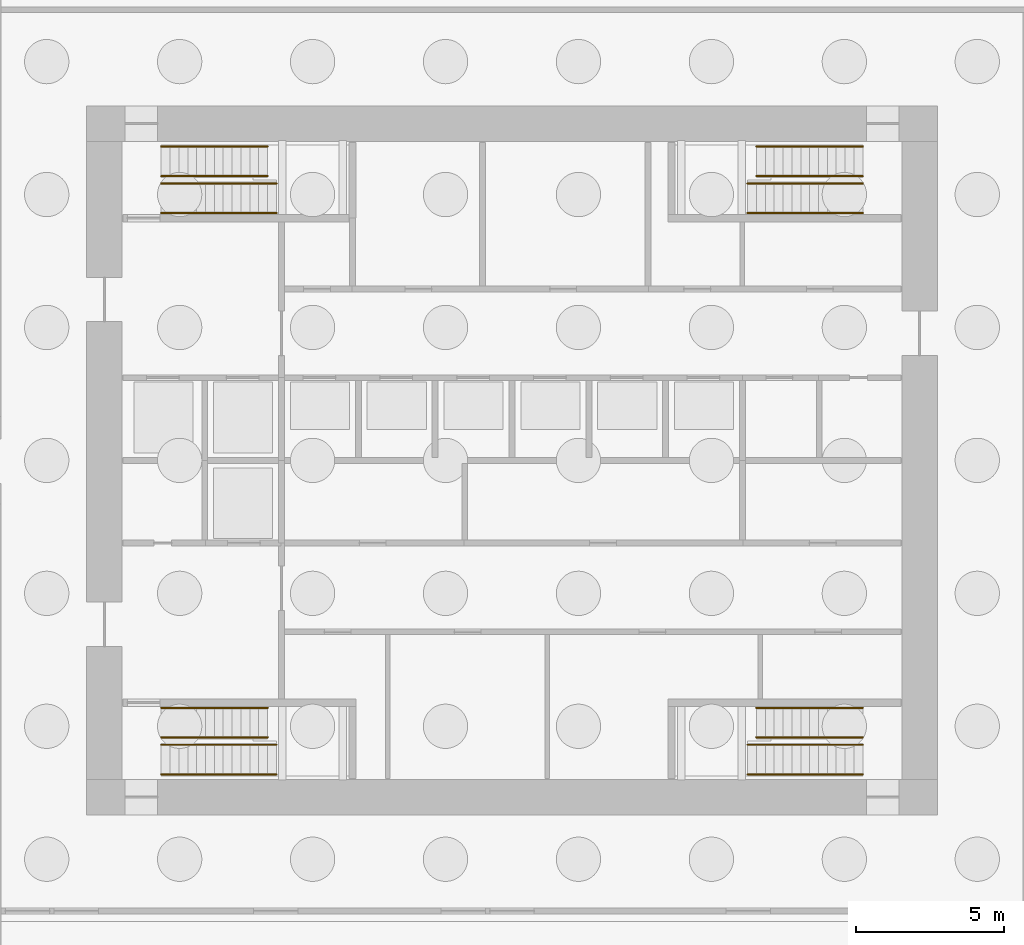
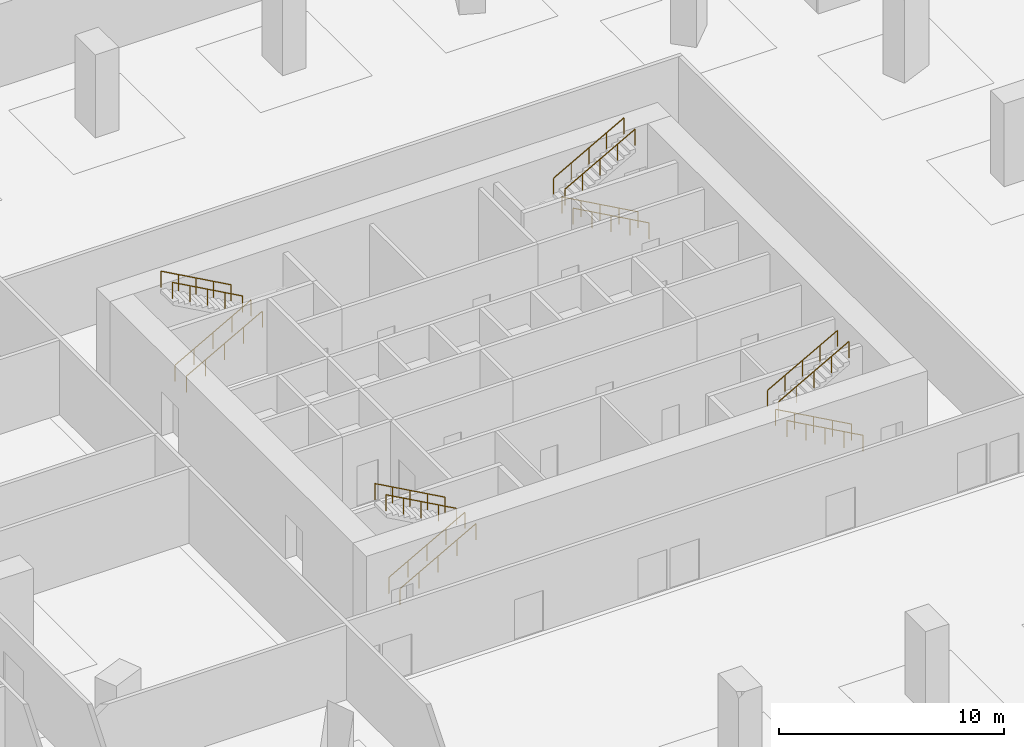
# One storey, part 13 of 14: 16 railings.
"""IFC4 building model written with IfcOpenShell, lengths in metres."""

from ifc_helpers import new_model, si_unit, direction, frame, origin, origin_2d, place, context, subcontext, project, spatial, circle, extrude, material, constituent, constituent_set, type_object, element, save


model = new_model("IFC4")

# Units and contexts
model_context = context("Model", 3, precision=1e-05, world=origin(), true_north=direction((0.0, 1.0)))
body_context = subcontext(model_context, "Body", "Model", "MODEL_VIEW")
ifc_project = project(units=[si_unit("LENGTHUNIT", "METRE"), si_unit("AREAUNIT", "SQUARE_METRE"), si_unit("VOLUMEUNIT", "CUBIC_METRE"), si_unit("PLANEANGLEUNIT", "RADIAN"), si_unit("MASSUNIT", "GRAM", prefix="KILO")], contexts=[model_context])

# Site, building, storey
site_placement = place(None, origin())
site = spatial("IfcSite", under=ifc_project, at=site_placement, CompositionType="ELEMENT")
building_placement = place(site_placement, origin())
building = spatial("IfcBuilding", under=site, at=building_placement, Name="Msitu Wima Residences", CompositionType="ELEMENT")
storey_placement = place(building_placement, frame((0.0, 0.0, -9.0)))
storey = spatial("IfcBuildingStorey", under=building, at=storey_placement, Name="B2", CompositionType="ELEMENT", Elevation=-9.0)

# Railings
ifc_material_1 = material(Name="Steel S355", Category="steel")
ifc_constituent_1 = constituent(ifc_material_1, Name="Steel S355")
ifc_material_2 = material(Name="Black powder coating")
ifc_constituent_2 = constituent(ifc_material_2, Name="Black powder coating")
ifc_constituent_set = constituent_set(constituents=[ifc_constituent_1, ifc_constituent_2], Name="Steel S355")
railing_type = type_object("IfcRailingType", Name="Stair handrail HR1", PredefinedType="HANDRAIL", material=ifc_constituent_set)
for number, where, name in (
    (1, (-11.875, 8.375, 0.166748046875), "Stair 1 handrail"),
    (2, (-11.875, 9.375, 0.166748046875), "Stair 1 handrail"),
):
    element("IfcRailing", number, at=place(storey_placement, frame(where)), inside=storey, type_object=railing_type, Name=name, PredefinedType="HANDRAIL", context=body_context, shape_type="SweptSolid", body=[
        extrude(circle(Radius=0.02392578125, at=origin_2d()), frame((0.0, 0.0, 0.8759765625), z_axis=(0.874167601283, 0.0, 0.485624345423), x_axis=(0.0, 1.0, 0.0)), (0.0, 0.0, 1.0), 4.461181640625),
        extrude(circle(Radius=0.02099609375, at=origin_2d()), origin(), (0.0, 0.0, 1.0), 0.851806640625),
        extrude(circle(Radius=0.02099609375, at=origin_2d()), frame((0.97509765625, 0.0, 0.54150390625)), (0.0, 0.0, 1.0), 0.851806640625),
        extrude(circle(Radius=0.02099609375, at=origin_2d()), frame((1.949951171875, 0.0, 1.083251953125)), (0.0, 0.0, 1.0), 0.851806640625),
        extrude(circle(Radius=0.02099609375, at=origin_2d()), frame((2.9248046875, 0.0, 1.625)), (0.0, 0.0, 1.0), 0.851806640625),
        extrude(circle(Radius=0.02099609375, at=origin_2d()), frame((3.89990234375, 0.0, 2.16650390625)), (0.0, 0.0, 1.0), 0.851806640625),
    ])
for number, where, name in (
    (3, (-8.27490234375, 9.625, 2.5), "Stair 1 handrail"),
    (4, (-8.27490234375, 10.625, 2.5), "Stair 1 handrail"),
):
    element("IfcRailing", number, at=place(storey_placement, frame(where)), inside=storey, type_object=railing_type, Name=name, PredefinedType="HANDRAIL", context=body_context, shape_type="SweptSolid", body=[
        extrude(circle(Radius=0.02392578125, at=origin_2d()), frame((0.0, 0.0, 0.8759765625), z_axis=(-0.874162868644, 0.0, 0.485632864501), x_axis=(0.0, -1.0, 0.0)), (0.0, 0.0, 1.0), 4.118408203125),
        extrude(circle(Radius=0.02099609375, at=origin_2d()), origin(), (0.0, 0.0, 1.0), 0.851806640625),
        extrude(circle(Radius=0.02099609375, at=origin_2d()), frame((-0.89990234375, 0.0, 0.5)), (0.0, 0.0, 1.0), 0.851806640625),
        extrude(circle(Radius=0.02099609375, at=origin_2d()), frame((-1.800048828125, 0.0, 1.0)), (0.0, 0.0, 1.0), 0.851806640625),
        extrude(circle(Radius=0.02099609375, at=origin_2d()), frame((-2.7001953125, 0.0, 1.5)), (0.0, 0.0, 1.0), 0.851806640625),
        extrude(circle(Radius=0.02099609375, at=origin_2d()), frame((-3.60009765625, 0.0, 2.0)), (0.0, 0.0, 1.0), 0.851806640625),
    ])
for number, where, name in (
    (5, (-11.875, -10.625, 0.166748046875), "Stair 2 handrail"),
    (6, (-11.875, -9.625, 0.166748046875), "Stair 2 handrail"),
):
    element("IfcRailing", number, at=place(storey_placement, frame(where)), inside=storey, type_object=railing_type, Name=name, PredefinedType="HANDRAIL", context=body_context, shape_type="SweptSolid", body=[
        extrude(circle(Radius=0.02392578125, at=origin_2d()), frame((0.0, 0.0, 0.8759765625), z_axis=(0.874167601283, 0.0, 0.485624345423), x_axis=(0.0, 1.0, 0.0)), (0.0, 0.0, 1.0), 4.461181640625),
        extrude(circle(Radius=0.02099609375, at=origin_2d()), origin(), (0.0, 0.0, 1.0), 0.851806640625),
        extrude(circle(Radius=0.02099609375, at=origin_2d()), frame((0.97509765625, 0.0, 0.54150390625)), (0.0, 0.0, 1.0), 0.851806640625),
        extrude(circle(Radius=0.02099609375, at=origin_2d()), frame((1.949951171875, 0.0, 1.083251953125)), (0.0, 0.0, 1.0), 0.851806640625),
        extrude(circle(Radius=0.02099609375, at=origin_2d()), frame((2.9248046875, 0.0, 1.625)), (0.0, 0.0, 1.0), 0.851806640625),
        extrude(circle(Radius=0.02099609375, at=origin_2d()), frame((3.89990234375, 0.0, 2.16650390625)), (0.0, 0.0, 1.0), 0.851806640625),
    ])
for number, where, name in (
    (7, (-8.27490234375, -9.375, 2.5), "Stair 2 handrail"),
    (8, (-8.27490234375, -8.375, 2.5), "Stair 2 handrail"),
):
    element("IfcRailing", number, at=place(storey_placement, frame(where)), inside=storey, type_object=railing_type, Name=name, PredefinedType="HANDRAIL", context=body_context, shape_type="SweptSolid", body=[
        extrude(circle(Radius=0.02392578125, at=origin_2d()), frame((0.0, 0.0, 0.8759765625), z_axis=(-0.874162868644, 0.0, 0.485632864501), x_axis=(0.0, -1.0, 0.0)), (0.0, 0.0, 1.0), 4.118408203125),
        extrude(circle(Radius=0.02099609375, at=origin_2d()), origin(), (0.0, 0.0, 1.0), 0.851806640625),
        extrude(circle(Radius=0.02099609375, at=origin_2d()), frame((-0.89990234375, 0.0, 0.5)), (0.0, 0.0, 1.0), 0.851806640625),
        extrude(circle(Radius=0.02099609375, at=origin_2d()), frame((-1.800048828125, 0.0, 1.0)), (0.0, 0.0, 1.0), 0.851806640625),
        extrude(circle(Radius=0.02099609375, at=origin_2d()), frame((-2.7001953125, 0.0, 1.5)), (0.0, 0.0, 1.0), 0.851806640625),
        extrude(circle(Radius=0.02099609375, at=origin_2d()), frame((-3.60009765625, 0.0, 2.0)), (0.0, 0.0, 1.0), 0.851806640625),
    ])
for number, where, name in (
    (9, (11.875, 8.375, 0.166748046875), "Stair 3 handrail"),
    (10, (11.875, 9.375, 0.166748046875), "Stair 3 handrail"),
):
    element("IfcRailing", number, at=place(storey_placement, frame(where)), inside=storey, type_object=railing_type, Name=name, PredefinedType="HANDRAIL", context=body_context, shape_type="SweptSolid", body=[
        extrude(circle(Radius=0.02392578125, at=origin_2d()), frame((0.0, 0.0, 0.8759765625), z_axis=(-0.874167601283, 0.0, 0.485624345423), x_axis=(0.0, -1.0, 0.0)), (0.0, 0.0, 1.0), 4.461181640625),
        extrude(circle(Radius=0.02099609375, at=origin_2d()), origin(), (0.0, 0.0, 1.0), 0.851806640625),
        extrude(circle(Radius=0.02099609375, at=origin_2d()), frame((-0.97509765625, 0.0, 0.54150390625)), (0.0, 0.0, 1.0), 0.851806640625),
        extrude(circle(Radius=0.02099609375, at=origin_2d()), frame((-1.949951171875, 0.0, 1.083251953125)), (0.0, 0.0, 1.0), 0.851806640625),
        extrude(circle(Radius=0.02099609375, at=origin_2d()), frame((-2.9248046875, 0.0, 1.625)), (0.0, 0.0, 1.0), 0.851806640625),
        extrude(circle(Radius=0.02099609375, at=origin_2d()), frame((-3.89990234375, 0.0, 2.16650390625)), (0.0, 0.0, 1.0), 0.851806640625),
    ])
for number, where, name in (
    (11, (8.27490234375, 9.625, 2.5), "Stair 3 handrail"),
    (12, (8.27490234375, 10.625, 2.5), "Stair 3 handrail"),
):
    element("IfcRailing", number, at=place(storey_placement, frame(where)), inside=storey, type_object=railing_type, Name=name, PredefinedType="HANDRAIL", context=body_context, shape_type="SweptSolid", body=[
        extrude(circle(Radius=0.02392578125, at=origin_2d()), frame((0.0, 0.0, 0.8759765625), z_axis=(0.874162868644, 0.0, 0.485632864501), x_axis=(0.0, 1.0, 0.0)), (0.0, 0.0, 1.0), 4.118408203125),
        extrude(circle(Radius=0.02099609375, at=origin_2d()), origin(), (0.0, 0.0, 1.0), 0.851806640625),
        extrude(circle(Radius=0.02099609375, at=origin_2d()), frame((0.89990234375, 0.0, 0.5)), (0.0, 0.0, 1.0), 0.851806640625),
        extrude(circle(Radius=0.02099609375, at=origin_2d()), frame((1.800048828125, 0.0, 1.0)), (0.0, 0.0, 1.0), 0.851806640625),
        extrude(circle(Radius=0.02099609375, at=origin_2d()), frame((2.7001953125, 0.0, 1.5)), (0.0, 0.0, 1.0), 0.851806640625),
        extrude(circle(Radius=0.02099609375, at=origin_2d()), frame((3.60009765625, 0.0, 2.0)), (0.0, 0.0, 1.0), 0.851806640625),
    ])
for number, where, name in (
    (13, (11.875, -10.625, 0.166748046875), "Stair 4 handrail"),
    (14, (11.875, -9.625, 0.166748046875), "Stair 4 handrail"),
):
    element("IfcRailing", number, at=place(storey_placement, frame(where)), inside=storey, type_object=railing_type, Name=name, PredefinedType="HANDRAIL", context=body_context, shape_type="SweptSolid", body=[
        extrude(circle(Radius=0.02392578125, at=origin_2d()), frame((0.0, 0.0, 0.8759765625), z_axis=(-0.874167601283, 0.0, 0.485624345423), x_axis=(0.0, -1.0, 0.0)), (0.0, 0.0, 1.0), 4.461181640625),
        extrude(circle(Radius=0.02099609375, at=origin_2d()), origin(), (0.0, 0.0, 1.0), 0.851806640625),
        extrude(circle(Radius=0.02099609375, at=origin_2d()), frame((-0.97509765625, 0.0, 0.54150390625)), (0.0, 0.0, 1.0), 0.851806640625),
        extrude(circle(Radius=0.02099609375, at=origin_2d()), frame((-1.949951171875, 0.0, 1.083251953125)), (0.0, 0.0, 1.0), 0.851806640625),
        extrude(circle(Radius=0.02099609375, at=origin_2d()), frame((-2.9248046875, 0.0, 1.625)), (0.0, 0.0, 1.0), 0.851806640625),
        extrude(circle(Radius=0.02099609375, at=origin_2d()), frame((-3.89990234375, 0.0, 2.16650390625)), (0.0, 0.0, 1.0), 0.851806640625),
    ])
for number, where, name in (
    (15, (8.27490234375, -9.375, 2.5), "Stair 4 handrail"),
    (16, (8.27490234375, -8.375, 2.5), "Stair 4 handrail"),
):
    element("IfcRailing", number, at=place(storey_placement, frame(where)), inside=storey, type_object=railing_type, Name=name, PredefinedType="HANDRAIL", context=body_context, shape_type="SweptSolid", body=[
        extrude(circle(Radius=0.02392578125, at=origin_2d()), frame((0.0, 0.0, 0.8759765625), z_axis=(0.874162868644, 0.0, 0.485632864501), x_axis=(0.0, 1.0, 0.0)), (0.0, 0.0, 1.0), 4.118408203125),
        extrude(circle(Radius=0.02099609375, at=origin_2d()), origin(), (0.0, 0.0, 1.0), 0.851806640625),
        extrude(circle(Radius=0.02099609375, at=origin_2d()), frame((0.89990234375, 0.0, 0.5)), (0.0, 0.0, 1.0), 0.851806640625),
        extrude(circle(Radius=0.02099609375, at=origin_2d()), frame((1.800048828125, 0.0, 1.0)), (0.0, 0.0, 1.0), 0.851806640625),
        extrude(circle(Radius=0.02099609375, at=origin_2d()), frame((2.7001953125, 0.0, 1.5)), (0.0, 0.0, 1.0), 0.851806640625),
        extrude(circle(Radius=0.02099609375, at=origin_2d()), frame((3.60009765625, 0.0, 2.0)), (0.0, 0.0, 1.0), 0.851806640625),
    ])

save(model, "model.ifc")
